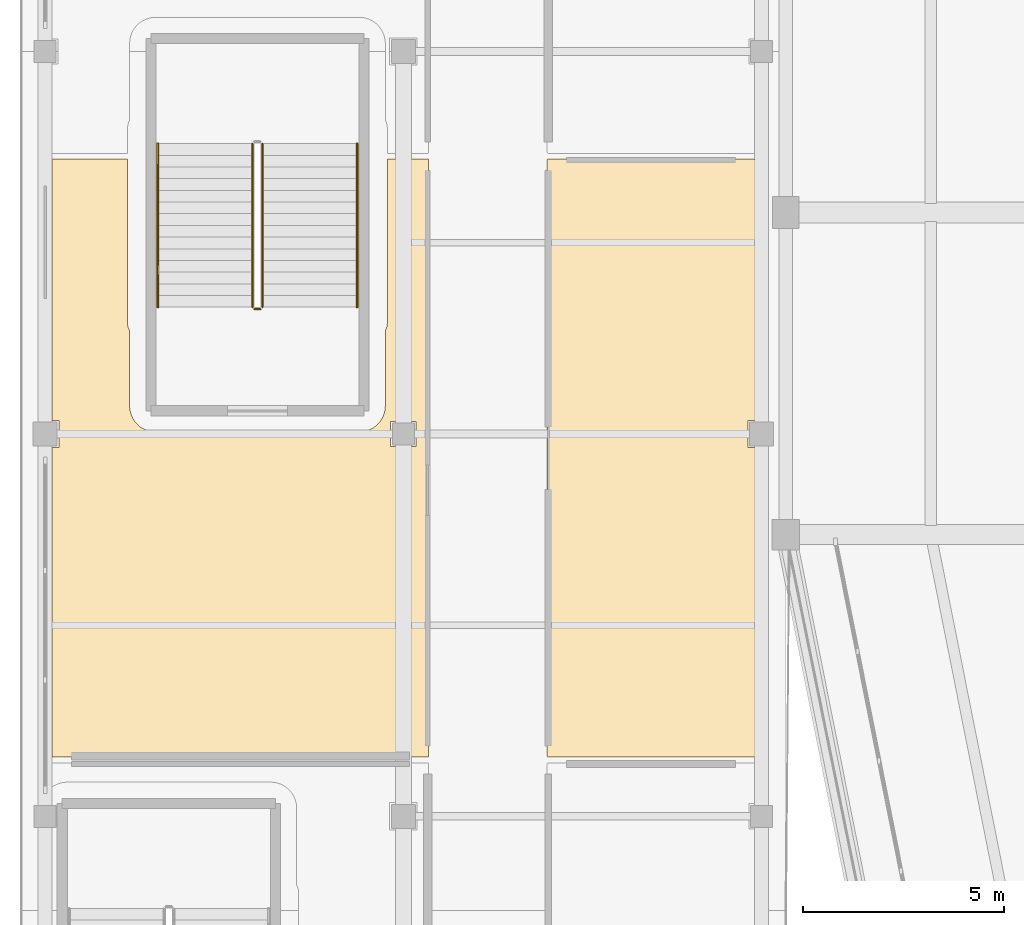
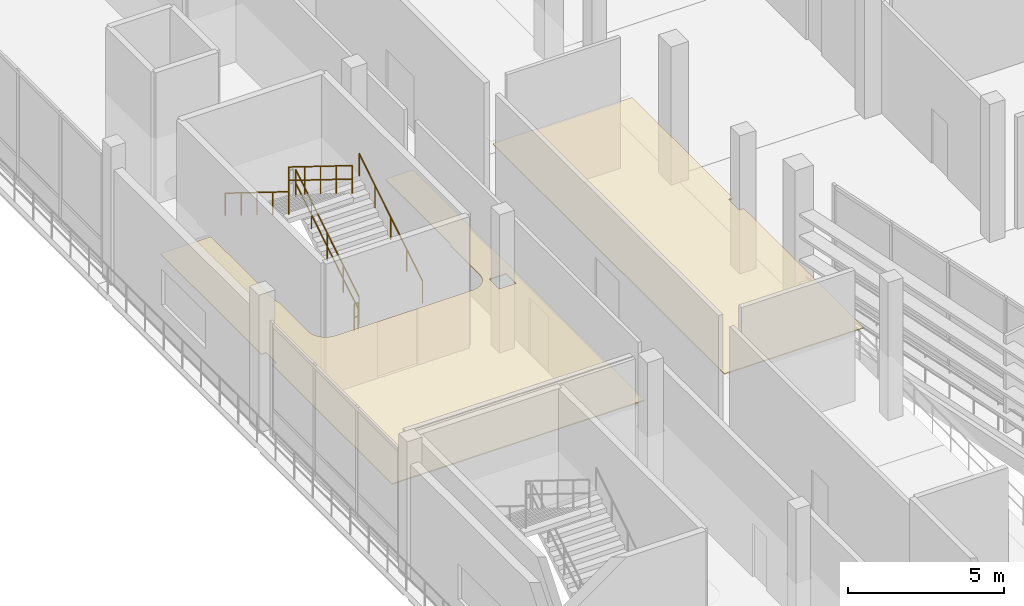
# One storey, part 94 of 111: 5 railings, 2 coverings.
"""IFC4 building model written with IfcOpenShell, lengths in metres."""

import ifcopenshell
import ifcopenshell.guid

model = None  # the IFC model being written
_history = None  # IfcOwnerHistory: only IFC2X3 demands one
_inside = {}  # id of a spatial element -> (the spatial element, [elements in it])
_under = {}  # id of a project, library or spatial element -> (it, [spatial elements below it])
_declared = {}  # id of a project -> (the project, [libraries it declares])
_typed = {}  # id of a type object -> (the type object, [elements of that type])
_made_of = {}  # id of a material, layer set ... -> (it, [elements and type objects made of it])


def new_model(schema):
    """Start an empty IFC model of exactly this schema.

    Asked for "IFC4X3", IfcOpenShell would pick the latest addendum, in which some entities
    have other attributes; the version numbers below select the first issue.
    IFC2X3 requires an IfcOwnerHistory on every rooted entity: one is made here for all.
    """
    global model, _history
    if schema == "IFC4X3":
        model = ifcopenshell.file(schema_version=(4, 3, 0, 0))
    else:
        model = ifcopenshell.file(schema=schema)
    _inside.clear()
    _under.clear()
    _declared.clear()
    _typed.clear()
    _made_of.clear()
    _history = None
    if model.schema == "IFC2X3":
        org = make("IfcOrganization", Name="unknown")
        user = make(
            "IfcPersonAndOrganization",
            ThePerson=make("IfcPerson", FamilyName="unknown"),
            TheOrganization=org,
        )
        app = make(
            "IfcApplication",
            ApplicationDeveloper=org,
            Version="unknown",
            ApplicationFullName="unknown",
            ApplicationIdentifier="unknown",
        )
        _history = make(
            "IfcOwnerHistory",
            OwningUser=user,
            OwningApplication=app,
            ChangeAction="ADDED",
            CreationDate=0,
        )
    return model


def make(cls, **values):
    """One entity of the class cls with the attributes given. An attribute that is None is left unset."""
    return model.create_entity(
        cls, **{name: value for name, value in values.items() if value is not None}
    )


def rooted(cls, **values):
    """An entity with a GlobalId (a new one), such as an element, a storey or a relation."""
    return make(cls, GlobalId=ifcopenshell.guid.new(), OwnerHistory=_history, **values)


def si_unit(unit_type, name, prefix=None):
    """IfcSIUnit, for example si_unit("LENGTHUNIT", "METRE", prefix="MILLI")."""
    return make("IfcSIUnit", UnitType=unit_type, Prefix=prefix, Name=name)


def assignment(units):
    """IfcUnitAssignment: the units of a project."""
    return None if units is None else make("IfcUnitAssignment", Units=units)


def point(xyz):
    """IfcCartesianPoint."""
    return None if xyz is None else make("IfcCartesianPoint", Coordinates=xyz)


def direction(xyz):
    """IfcDirection."""
    return None if xyz is None else make("IfcDirection", DirectionRatios=xyz)


def frame(location, z_axis=None, x_axis=None):
    """IfcAxis2Placement3D, a coordinate frame: its origin and axes. An axis left out is left unset."""
    return make(
        "IfcAxis2Placement3D",
        Location=point(location),
        Axis=direction(z_axis),
        RefDirection=direction(x_axis),
    )


def frame_2d(location, x_axis=None):
    """IfcAxis2Placement2D, a coordinate frame in the plane: its origin and x axis."""
    return make(
        "IfcAxis2Placement2D", Location=point(location), RefDirection=direction(x_axis)
    )


def origin():
    """The frame at (0, 0, 0) with its axes left unset."""
    return frame((0.0, 0.0, 0.0))


def origin_2d():
    """The frame at (0, 0) in the plane with its x axis left unset."""
    return frame_2d((0.0, 0.0))


def place(relative_to, where):
    """IfcLocalPlacement: puts the frame where relative to a parent placement (None: the world)."""
    return make(
        "IfcLocalPlacement", PlacementRelTo=relative_to, RelativePlacement=where
    )


def context(
    kind, dimensions, precision=None, world=None, true_north=None, identifier=None
):
    """IfcGeometricRepresentationContext, for example the 3D "Model" context."""
    return make(
        "IfcGeometricRepresentationContext",
        ContextIdentifier=identifier,
        ContextType=kind,
        CoordinateSpaceDimension=dimensions,
        Precision=precision,
        WorldCoordinateSystem=world,
        TrueNorth=true_north,
    )


def subcontext(parent, identifier, kind, view, scale=None):
    """IfcGeometricRepresentationSubContext, for example "Body" below "Model"."""
    return make(
        "IfcGeometricRepresentationSubContext",
        ContextIdentifier=identifier,
        ContextType=kind,
        ParentContext=parent,
        TargetScale=scale,
        TargetView=view,
    )


def project(units=None, contexts=None):
    """IfcProject with its units and contexts."""
    return rooted(
        "IfcProject",
        Name="project",
        RepresentationContexts=contexts,
        UnitsInContext=assignment(units),
    )


def spatial(cls, under=None, at=None, **own):
    """A site, building, storey or space (cls), placed at a placement, below another one or the project."""
    s = rooted(cls, ObjectPlacement=at, **own)
    if under is not None:
        _under.setdefault(under.id(), (under, []))[1].append(s)
    return s


def polyline(points):
    """IfcPolyline through the points."""
    return make("IfcPolyline", Points=[point(p) for p in points])


def profile(cls, at=None, kind="AREA", **sizes):
    """A parametric profile (cls). Its sizes go by their IFC names, for example OverallWidth=200.0."""
    return make(cls, ProfileType=kind, Position=at, **sizes)


def circle(**sizes):
    """IfcCircleProfileDef."""
    return profile("IfcCircleProfileDef", **sizes)


def outline(outer, holes=None, kind="AREA"):
    """IfcArbitraryClosedProfileDef: a profile drawn as a closed curve; with holes, ...WithVoids."""
    if holes is None:
        return make("IfcArbitraryClosedProfileDef", ProfileType=kind, OuterCurve=outer)
    return make(
        "IfcArbitraryProfileDefWithVoids",
        ProfileType=kind,
        OuterCurve=outer,
        InnerCurves=holes,
    )


def extrude(swept, where, along, depth):
    """IfcExtrudedAreaSolid: the profile swept, set in the frame where, extruded along a direction by depth."""
    return make(
        "IfcExtrudedAreaSolid",
        SweptArea=swept,
        Position=where,
        ExtrudedDirection=direction(along),
        Depth=depth,
    )


def shape(context_of_items, identifier, shape_type, items):
    """IfcShapeRepresentation: the items that make up one representation, for example the "Body"."""
    return make(
        "IfcShapeRepresentation",
        ContextOfItems=context_of_items,
        RepresentationIdentifier=identifier,
        RepresentationType=shape_type,
        Items=items,
    )


def material(Name=None, Category=None):
    """IfcMaterial."""
    return make("IfcMaterial", Name=Name, Category=Category)


def layer(
    of_material, thickness, ventilated=None, Name=None, Category=None, Priority=None
):
    """IfcMaterialLayer: one layer of a wall or slab, of a material (None: an air gap)."""
    return make(
        "IfcMaterialLayer",
        Material=of_material,
        LayerThickness=thickness,
        IsVentilated=ventilated,
        Name=Name,
        Category=Category,
        Priority=Priority,
    )


def layer_set(layers, Name=None):
    """IfcMaterialLayerSet."""
    return make("IfcMaterialLayerSet", MaterialLayers=layers, LayerSetName=Name)


def made_of(thing, what):
    """Note that an element or type object is made of a material, layer set ...; save() writes the relation."""
    if what is not None:
        _made_of.setdefault(what.id(), (what, []))[1].append(thing)
    return thing


def type_object(cls, material=None, **own):
    """A type object (cls), such as IfcWallType, which elements share."""
    return made_of(rooted(cls, **own), material)


def element(
    cls,
    number,
    at=None,
    inside=None,
    cuts=None,
    type_object=None,
    material=None,
    context=None,
    identifier="Body",
    shape_type=None,
    held_by="IfcProductDefinitionShape",
    body=None,
    shapes=None,
    **own,
):
    """One element of the class cls, such as IfcWall. Its Tag is "e" and its number.

    at: its placement. inside: the storey or other place that contains it. cuts: it is an
    opening in that element (IfcRelVoidsElement). A single representation is given by context,
    identifier, shape_type and body (its items); several are given by shapes. held_by: the class
    of the entity that holds the representations. save() writes the other relations.
    """
    e = rooted(cls, Tag="e%d" % number, ObjectPlacement=at, **own)
    if body is not None:
        shapes = [shape(context, identifier, shape_type, body)]
    if shapes is not None:
        e.Representation = make(held_by, Representations=shapes)
    if inside is not None:
        _inside.setdefault(inside.id(), (inside, []))[1].append(e)
    if cuts is not None:
        rooted(
            "IfcRelVoidsElement", RelatingBuildingElement=cuts, RelatedOpeningElement=e
        )
    if type_object is not None:
        _typed.setdefault(type_object.id(), (type_object, []))[1].append(e)
    return made_of(e, material)


def aggregate(whole, parts):
    """IfcRelAggregates: a whole, such as a stair, and the parts it consists of."""
    return rooted("IfcRelAggregates", RelatingObject=whole, RelatedObjects=parts)


def save(model, path):
    """Write the relations noted so far, then the file.

    IfcRelAggregates (storeys below a building ...), IfcRelContainedInSpatialStructure (elements
    in a storey), IfcRelDefinesByType, IfcRelAssociatesMaterial and IfcRelDeclares: one each for
    every whole, place, type object, material and project.
    """
    for whole, parts in _under.values():
        aggregate(whole, parts)
    for where, things in _inside.values():
        rooted(
            "IfcRelContainedInSpatialStructure",
            RelatedElements=things,
            RelatingStructure=where,
        )
    for kind, things in _typed.values():
        rooted("IfcRelDefinesByType", RelatedObjects=things, RelatingType=kind)
    for what, things in _made_of.values():
        rooted("IfcRelAssociatesMaterial", RelatedObjects=things, RelatingMaterial=what)
    for by, libraries in _declared.values():
        rooted("IfcRelDeclares", RelatingContext=by, RelatedDefinitions=libraries)
    model.write(path)


model = new_model("IFC4")

# Units and contexts
model_context = context("Model", 3, precision=1e-05, world=origin(), true_north=direction((0.0, 1.0)))
body_context = subcontext(model_context, "Body", "Model", "MODEL_VIEW")
ifc_project = project(units=[si_unit("LENGTHUNIT", "METRE"), si_unit("AREAUNIT", "SQUARE_METRE"), si_unit("VOLUMEUNIT", "CUBIC_METRE"), si_unit("PLANEANGLEUNIT", "RADIAN"), si_unit("MASSUNIT", "GRAM", prefix="KILO")], contexts=[model_context])

# Site, building, storey
site_placement = place(None, origin())
site = spatial("IfcSite", under=ifc_project, at=site_placement, CompositionType="ELEMENT")
building_placement = place(site_placement, origin())
building = spatial("IfcBuilding", under=site, at=building_placement, Name="Candeia Ridge Stadium", CompositionType="ELEMENT")
storey_placement = place(building_placement, frame((0.0, 0.0, 16.199951171875)))
storey = spatial("IfcBuildingStorey", under=building, at=storey_placement, Name="L03", CompositionType="ELEMENT", Elevation=16.199951171875)

# Coverings
ifc_material_1 = material(Name="Western Red Cedar Acoustic Slat", Category="wood")
ifc_layer_1 = layer(ifc_material_1, 0.044921875, Name="Western Red Cedar Acoustic Slat", Category="wood")
ifc_layer_set_1 = layer_set([ifc_layer_1], Name="Western Red Cedar Acoustic Slat")
covering_type = type_object("IfcCoveringType", Name="Slatted Cedar Acoustic Ceiling 45", PredefinedType="CEILING", material=ifc_layer_set_1)
covering_1_placement = place(storey_placement, frame((0.0, 0.0, 2.510009765625)))
element("IfcCovering", 1, at=covering_1_placement, inside=storey, type_object=covering_type, Name="Acoustic ceiling Executive Skybox Suite W04", PredefinedType="CEILING", context=body_context, shape_type="SweptSolid", body=[
    extrude(outline(polyline([(10.10595703125, 80.329345703125), (10.108642578125, 80.32861328125), (10.111572265625, 80.32763671875), (10.114013671875, 80.326416015625), (10.11669921875, 80.324951171875), (10.118896484375, 80.3232421875), (10.12109375, 80.3212890625), (10.123291015625, 80.319091796875), (10.125, 80.316650390625), (10.12646484375, 80.314208984375), (10.127685546875, 80.3115234375), (10.128662109375, 80.30859375), (10.12939453125, 80.305908203125), (10.1298828125, 80.302978515625), (10.1298828125, 80.300048828125), (10.1298828125, 65.5), (10.1298828125, 65.4970703125), (10.12939453125, 65.494140625), (10.128662109375, 65.4912109375), (10.127685546875, 65.488525390625), (10.12646484375, 65.48583984375), (10.125, 65.4833984375), (10.123291015625, 65.48095703125), (10.12109375, 65.478759765625), (10.118896484375, 65.476806640625), (10.11669921875, 65.47509765625), (10.114013671875, 65.473388671875), (10.111572265625, 65.472412109375), (10.108642578125, 65.47119140625), (10.10595703125, 65.470703125), (10.102783203125, 65.47021484375), (10.10009765625, 65.469970703125), (0.800048828125, 65.469970703125), (0.797119140625, 65.47021484375), (0.794189453125, 65.470703125), (0.791259765625, 65.47119140625), (0.78857421875, 65.472412109375), (0.785888671875, 65.473388671875), (0.783203125, 65.47509765625), (0.781005859375, 65.476806640625), (0.77880859375, 65.478759765625), (0.77685546875, 65.48095703125), (0.775146484375, 65.4833984375), (0.7734375, 65.48583984375), (0.772216796875, 65.488525390625), (0.771240234375, 65.4912109375), (0.7705078125, 65.494140625), (0.77001953125, 65.4970703125), (0.77001953125, 65.5), (0.77001953125, 73.159912109375), (0.93994140625, 73.159912109375), (0.93994140625, 73.840087890625), (0.77001953125, 73.840087890625), (0.77001953125, 80.300048828125), (0.77001953125, 80.302978515625), (0.7705078125, 80.305908203125), (0.771240234375, 80.30859375), (0.772216796875, 80.3115234375), (0.7734375, 80.314208984375), (0.775146484375, 80.316650390625), (0.77685546875, 80.319091796875), (0.77880859375, 80.3212890625), (0.781005859375, 80.3232421875), (0.783203125, 80.324951171875), (0.785888671875, 80.326416015625), (0.78857421875, 80.32763671875), (0.791259765625, 80.32861328125), (0.794189453125, 80.329345703125), (0.797119140625, 80.329833984375), (0.800048828125, 80.330078125), (2.64990234375, 80.330078125), (2.64990234375, 76.25), (2.651611328125, 76.2158203125), (2.65673828125, 76.181640625), (2.6650390625, 76.1484375), (2.676513671875, 76.1162109375), (2.69140625, 76.0849609375), (2.699951171875, 76.070556640625), (2.699951171875, 74.199951171875), (2.700439453125, 74.182861328125), (2.701904296875, 74.1533203125), (2.705078125, 74.119140625), (2.709716796875, 74.090087890625), (2.71630859375, 74.056396484375), (2.723388671875, 74.02783203125), (2.7333984375, 73.9951171875), (2.743408203125, 73.96728515625), (2.75634765625, 73.935546875), (2.76904296875, 73.908935546875), (2.78515625, 73.878662109375), (2.80029296875, 73.853515625), (2.8193359375, 73.82470703125), (2.8369140625, 73.80126953125), (2.85888671875, 73.774658203125), (2.87841796875, 73.752685546875), (2.90283203125, 73.728515625), (2.924560546875, 73.708740234375), (2.951171875, 73.68701171875), (2.974853515625, 73.66943359375), (3.00341796875, 73.650390625), (3.028564453125, 73.63525390625), (3.058837890625, 73.618896484375), (3.085693359375, 73.6064453125), (3.1171875, 73.59326171875), (3.14501953125, 73.58349609375), (3.177978515625, 73.573486328125), (3.206298828125, 73.56640625), (3.239990234375, 73.5595703125), (3.269287109375, 73.55517578125), (3.303466796875, 73.552001953125), (3.332763671875, 73.55029296875), (3.35009765625, 73.550048828125), (8.39990234375, 73.550048828125), (8.417236328125, 73.55029296875), (8.446533203125, 73.552001953125), (8.480712890625, 73.55517578125), (8.510009765625, 73.5595703125), (8.543701171875, 73.56640625), (8.572021484375, 73.573486328125), (8.60498046875, 73.58349609375), (8.6328125, 73.59326171875), (8.664306640625, 73.6064453125), (8.691162109375, 73.618896484375), (8.721435546875, 73.63525390625), (8.74658203125, 73.650390625), (8.775146484375, 73.66943359375), (8.798828125, 73.68701171875), (8.825439453125, 73.708740234375), (8.84716796875, 73.728515625), (8.87158203125, 73.752685546875), (8.89111328125, 73.774658203125), (8.9130859375, 73.80126953125), (8.9306640625, 73.82470703125), (8.94970703125, 73.853515625), (8.96484375, 73.878662109375), (8.98095703125, 73.908935546875), (8.99365234375, 73.935546875), (9.006591796875, 73.96728515625), (9.0166015625, 73.9951171875), (9.026611328125, 74.02783203125), (9.03369140625, 74.056396484375), (9.040283203125, 74.090087890625), (9.044921875, 74.119140625), (9.048095703125, 74.1533203125), (9.049560546875, 74.182861328125), (9.050048828125, 74.199951171875), (9.050048828125, 76.070556640625), (9.05859375, 76.0849609375), (9.073486328125, 76.1162109375), (9.0849609375, 76.1484375), (9.09326171875, 76.181640625), (9.098388671875, 76.2158203125), (9.10009765625, 76.25), (9.10009765625, 80.330078125), (10.10009765625, 80.330078125), (10.102783203125, 80.329833984375), (10.10595703125, 80.329345703125)]), holes=[polyline([(9.18505859375, 73.81494140625), (9.18505859375, 73.18505859375), (9.81494140625, 73.18505859375), (9.81494140625, 73.81494140625), (9.18505859375, 73.81494140625)])]), origin(), (0.0, 0.0, 1.0), 0.0400390625),
])
covering_2_placement = place(storey_placement, frame((0.0, 0.0, 2.510009765625)))
element("IfcCovering", 2, at=covering_2_placement, inside=storey, type_object=covering_type, Name="Acoustic ceiling Executive Skybox Suite W04 Pitchside Suite", PredefinedType="CEILING", context=body_context, shape_type="SweptSolid", body=[
    extrude(outline(polyline([(13.093994140625, 65.470703125), (13.09130859375, 65.47119140625), (13.08837890625, 65.472412109375), (13.0859375, 65.473388671875), (13.083251953125, 65.47509765625), (13.0810546875, 65.476806640625), (13.078857421875, 65.478759765625), (13.076904296875, 65.48095703125), (13.0751953125, 65.4833984375), (13.073486328125, 65.48583984375), (13.072265625, 65.488525390625), (13.0712890625, 65.4912109375), (13.070556640625, 65.494140625), (13.070068359375, 65.4970703125), (13.070068359375, 65.5), (13.070068359375, 80.300048828125), (13.070068359375, 80.302978515625), (13.070556640625, 80.305908203125), (13.0712890625, 80.30859375), (13.072265625, 80.3115234375), (13.073486328125, 80.314208984375), (13.0751953125, 80.316650390625), (13.076904296875, 80.319091796875), (13.078857421875, 80.3212890625), (13.0810546875, 80.3232421875), (13.083251953125, 80.324951171875), (13.0859375, 80.326416015625), (13.08837890625, 80.32763671875), (13.09130859375, 80.32861328125), (13.093994140625, 80.329345703125), (13.09716796875, 80.329833984375), (13.10009765625, 80.330078125), (18.199951171875, 80.330078125), (18.202880859375, 80.329833984375), (18.205810546875, 80.329345703125), (18.208740234375, 80.32861328125), (18.21142578125, 80.32763671875), (18.214111328125, 80.326416015625), (18.216796875, 80.324951171875), (18.218994140625, 80.3232421875), (18.22119140625, 80.3212890625), (18.22314453125, 80.319091796875), (18.224853515625, 80.316650390625), (18.2265625, 80.314208984375), (18.227783203125, 80.3115234375), (18.228759765625, 80.30859375), (18.2294921875, 80.305908203125), (18.22998046875, 80.302978515625), (18.22998046875, 80.300048828125), (18.22998046875, 73.840087890625), (18.06005859375, 73.840087890625), (18.06005859375, 73.159912109375), (18.22998046875, 73.159912109375), (18.22998046875, 65.5), (18.22998046875, 65.4970703125), (18.2294921875, 65.494140625), (18.228759765625, 65.4912109375), (18.227783203125, 65.488525390625), (18.2265625, 65.48583984375), (18.224853515625, 65.4833984375), (18.22314453125, 65.48095703125), (18.22119140625, 65.478759765625), (18.218994140625, 65.476806640625), (18.216796875, 65.47509765625), (18.214111328125, 65.473388671875), (18.21142578125, 65.472412109375), (18.208740234375, 65.47119140625), (18.205810546875, 65.470703125), (18.202880859375, 65.47021484375), (18.199951171875, 65.469970703125), (13.10009765625, 65.469970703125), (13.09716796875, 65.47021484375), (13.093994140625, 65.470703125)])), origin(), (0.0, 0.0, 1.0), 0.0400390625),
])

# Railings
ifc_material_2 = material(Name="Brushed Stainless Steel", Category="steel")
ifc_layer_2 = layer(ifc_material_2, 0.048095703125, Name="Brushed Stainless Steel", Category="steel")
ifc_layer_set_2 = layer_set([ifc_layer_2], Name="Brushed Stainless Steel")
railing_type_1 = type_object("IfcRailingType", Name="Stair Wall & Flight Handrail 900", PredefinedType="HANDRAIL", material=ifc_layer_set_2)
railing_1_placement = place(storey_placement, frame((8.35009765625, 76.64990234375, 0.179931640625)))
element("IfcRailing", 3, at=railing_1_placement, inside=storey, type_object=railing_type_1, Name="L03 ST07 stair handrail 1", PredefinedType="HANDRAIL", context=body_context, shape_type="SweptSolid", body=[
    extrude(circle(Radius=0.02392578125, at=origin_2d()), frame((0.0, 0.0, 0.8759765625), z_axis=(0.0, 0.849641744969, 0.527360318194), x_axis=(-1.0, 0.0, 0.0)), (0.0, 0.0, 1.0), 4.778564453125),
    extrude(circle(Radius=0.02099609375, at=origin_2d()), origin(), (0.0, 0.0, 1.0), 0.851806640625),
    extrude(circle(Radius=0.02099609375, at=origin_2d()), frame((0.0, 1.01513671875, 0.6298828125)), (0.0, 0.0, 1.0), 0.851806640625),
    extrude(circle(Radius=0.02099609375, at=origin_2d()), frame((0.0, 2.030029296875, 1.260009765625)), (0.0, 0.0, 1.0), 0.851806640625),
    extrude(circle(Radius=0.02099609375, at=origin_2d()), frame((0.0, 3.044921875, 1.89013671875)), (0.0, 0.0, 1.0), 0.851806640625),
    extrude(circle(Radius=0.02099609375, at=origin_2d()), frame((0.0, 4.06005859375, 2.52001953125)), (0.0, 0.0, 1.0), 0.851806640625),
])
railing_2_placement = place(storey_placement, frame((3.39990234375, 80.7099609375, 2.880126953125)))
element("IfcRailing", 4, at=railing_2_placement, inside=storey, type_object=railing_type_1, Name="L03 ST07 stair handrail 2", PredefinedType="HANDRAIL", context=body_context, shape_type="SweptSolid", body=[
    extrude(circle(Radius=0.02392578125, at=origin_2d()), frame((0.0, 0.0, 0.8759765625), z_axis=(0.0, -0.849641744969, 0.527360318194), x_axis=(1.0, 0.0, 0.0)), (0.0, 0.0, 1.0), 4.778564453125),
    extrude(circle(Radius=0.02099609375, at=origin_2d()), origin(), (0.0, 0.0, 1.0), 0.851806640625),
    extrude(circle(Radius=0.02099609375, at=origin_2d()), frame((0.0, -1.01513671875, 0.6298828125)), (0.0, 0.0, 1.0), 0.851806640625),
    extrude(circle(Radius=0.02099609375, at=origin_2d()), frame((0.0, -2.030029296875, 1.260009765625)), (0.0, 0.0, 1.0), 0.851806640625),
    extrude(circle(Radius=0.02099609375, at=origin_2d()), frame((0.0, -3.044921875, 1.89013671875)), (0.0, 0.0, 1.0), 0.851806640625),
    extrude(circle(Radius=0.02099609375, at=origin_2d()), frame((0.0, -4.06005859375, 2.52001953125)), (0.0, 0.0, 1.0), 0.851806640625),
])
ifc_material_3 = material(Name="Galvanized Powder-Coated Steel", Category="steel")
ifc_layer_3 = layer(ifc_material_3, 0.06005859375, Name="Galvanized Powder-Coated Steel", Category="steel")
ifc_layer_set_3 = layer_set([ifc_layer_3], Name="Galvanized Powder-Coated Steel")
railing_type_2 = type_object("IfcRailingType", Name="Stair Well Guardrail 1100", PredefinedType="GUARDRAIL", material=ifc_layer_set_3)
railing_3_placement = place(storey_placement, frame((6.0, 76.64990234375, 0.179931640625)))
element("IfcRailing", 5, at=railing_3_placement, inside=storey, type_object=railing_type_2, Name="L03 ST07 stair guard 1", PredefinedType="GUARDRAIL", context=body_context, shape_type="SweptSolid", body=[
    extrude(circle(Radius=0.02392578125, at=origin_2d()), frame((0.0, 0.0, 1.076171875), z_axis=(0.0, 0.849641744969, 0.527360318194), x_axis=(-1.0, 0.0, 0.0)), (0.0, 0.0, 1.0), 4.778564453125),
    extrude(circle(Radius=0.02392578125, at=origin_2d()), frame((0.0, 0.0, 0.550048828125), z_axis=(0.0, 0.849641744969, 0.527360318194), x_axis=(-1.0, 0.0, 0.0)), (0.0, 0.0, 1.0), 4.778564453125),
    extrude(circle(Radius=0.02099609375, at=origin_2d()), origin(), (0.0, 0.0, 1.0), 1.052001953125),
    extrude(circle(Radius=0.02099609375, at=origin_2d()), frame((0.0, 1.01513671875, 0.6298828125)), (0.0, 0.0, 1.0), 1.052001953125),
    extrude(circle(Radius=0.02099609375, at=origin_2d()), frame((0.0, 2.030029296875, 1.260009765625)), (0.0, 0.0, 1.0), 1.052001953125),
    extrude(circle(Radius=0.02099609375, at=origin_2d()), frame((0.0, 3.044921875, 1.89013671875)), (0.0, 0.0, 1.0), 1.052001953125),
    extrude(circle(Radius=0.02099609375, at=origin_2d()), frame((0.0, 4.06005859375, 2.52001953125)), (0.0, 0.0, 1.0), 1.052001953125),
])
railing_4_placement = place(storey_placement, frame((5.75, 80.7099609375, 2.880126953125)))
element("IfcRailing", 6, at=railing_4_placement, inside=storey, type_object=railing_type_2, Name="L03 ST07 stair guard 3", PredefinedType="GUARDRAIL", context=body_context, shape_type="SweptSolid", body=[
    extrude(circle(Radius=0.02392578125, at=origin_2d()), frame((0.0, 0.0, 1.076171875), z_axis=(0.0, -0.849641744969, 0.527360318194), x_axis=(1.0, 0.0, 0.0)), (0.0, 0.0, 1.0), 4.778564453125),
    extrude(circle(Radius=0.02392578125, at=origin_2d()), frame((0.0, 0.0, 0.550048828125), z_axis=(0.0, -0.849641744969, 0.527360318194), x_axis=(1.0, 0.0, 0.0)), (0.0, 0.0, 1.0), 4.778564453125),
    extrude(circle(Radius=0.02099609375, at=origin_2d()), origin(), (0.0, 0.0, 1.0), 1.052001953125),
    extrude(circle(Radius=0.02099609375, at=origin_2d()), frame((0.0, -1.01513671875, 0.6298828125)), (0.0, 0.0, 1.0), 1.052001953125),
    extrude(circle(Radius=0.02099609375, at=origin_2d()), frame((0.0, -2.030029296875, 1.260009765625)), (0.0, 0.0, 1.0), 1.052001953125),
    extrude(circle(Radius=0.02099609375, at=origin_2d()), frame((0.0, -3.044921875, 1.89013671875)), (0.0, 0.0, 1.0), 1.052001953125),
    extrude(circle(Radius=0.02099609375, at=origin_2d()), frame((0.0, -4.06005859375, 2.52001953125)), (0.0, 0.0, 1.0), 1.052001953125),
])
railing_5_placement = place(storey_placement, frame((5.949951171875, 76.60009765625, 0.0)))
element("IfcRailing", 7, at=railing_5_placement, inside=storey, type_object=railing_type_2, Name="L03 ST07 stair guard 4", PredefinedType="GUARDRAIL", context=body_context, shape_type="SweptSolid", body=[
    extrude(circle(Radius=0.02392578125, at=origin_2d()), frame((0.0, 0.0, 1.076171875), z_axis=(-1.0, 0.0, 0.0), x_axis=(0.0, -1.0, 0.0)), (0.0, 0.0, 1.0), 0.14990234375),
    extrude(circle(Radius=0.02392578125, at=origin_2d()), frame((0.0, 0.0, 0.550048828125), z_axis=(-1.0, 0.0, 0.0), x_axis=(0.0, -1.0, 0.0)), (0.0, 0.0, 1.0), 0.14990234375),
    extrude(circle(Radius=0.02099609375, at=origin_2d()), origin(), (0.0, 0.0, 1.0), 1.052001953125),
    extrude(circle(Radius=0.02099609375, at=origin_2d()), frame((-0.14990234375, 0.0, 0.0)), (0.0, 0.0, 1.0), 1.052001953125),
])

save(model, "model.ifc")
